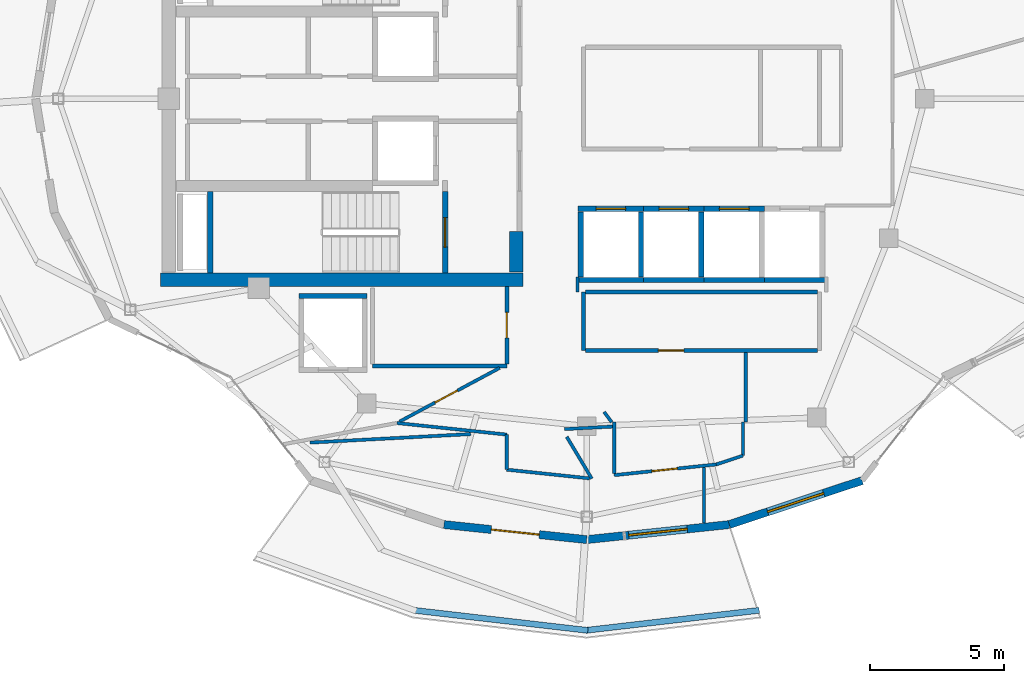
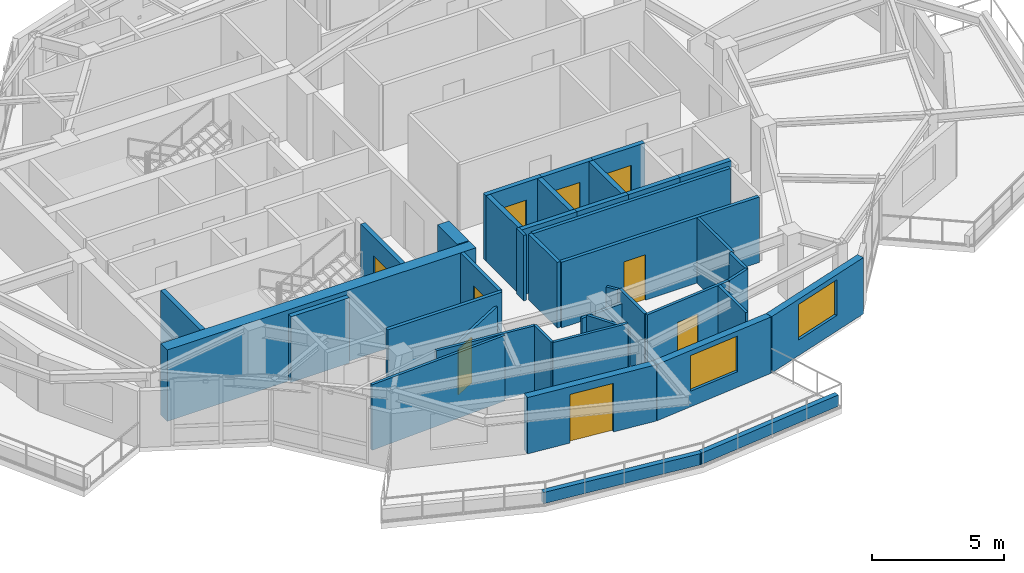
# One storey, part 8 of 15: 40 walls, 9 doors, 2 windows, 11 openings.
"""IFC4 building model written with IfcOpenShell, lengths in metres."""

from ifc_helpers import new_model, si_unit, direction, frame, frame_2d, origin, place, context, subcontext, project, spatial, rectangle, extrude, material, layer, layer_set, type_object, element, fill, save


model = new_model("IFC4")

# Units and contexts
model_context = context("Model", 3, precision=1e-05, world=origin(), true_north=direction((0.0, 1.0)))
body_context = subcontext(model_context, "Body", "Model", "MODEL_VIEW")
ifc_project = project(units=[si_unit("LENGTHUNIT", "METRE"), si_unit("AREAUNIT", "SQUARE_METRE"), si_unit("VOLUMEUNIT", "CUBIC_METRE"), si_unit("PLANEANGLEUNIT", "RADIAN"), si_unit("MASSUNIT", "GRAM", prefix="KILO")], contexts=[model_context])

# Site, building, storey
site_placement = place(None, origin())
site = spatial("IfcSite", under=ifc_project, at=site_placement, CompositionType="ELEMENT")
building_placement = place(site_placement, origin())
building = spatial("IfcBuilding", under=site, at=building_placement, Name="Kolvaren Gate Tower and Convention Centre", CompositionType="ELEMENT")
storey_placement = place(building_placement, frame((0.0, 0.0, 265.699951171875)))
storey = spatial("IfcBuildingStorey", under=building, at=storey_placement, Name="L72", CompositionType="ELEMENT", Elevation=265.699951171875)

# Walls
ifc_material_1 = material(Name="Fire-Rated Acoustic Gypsum Stud Partition", Category="gypsum")
ifc_layer_1 = layer(ifc_material_1, 0.1201171875)
ifc_layer_set_1 = layer_set([ifc_layer_1], Name="Fire-Rated Acoustic Gypsum Stud Partition")
wall_type_1 = type_object("IfcWallType", Name="ARCH-WL-PART-120", PredefinedType="PARTITIONING", material=ifc_layer_set_1)
wall_1_placement = place(storey_placement, frame((27.14990234375, 13.180908203125, 0.0), z_axis=(0.0, 0.0, 1.0), x_axis=(0.0, 1.0, 0.0)))
element("IfcWall", 1, at=wall_1_placement, inside=storey, type_object=wall_type_1, Name="Interior Partition WL-L72-INT-011", PredefinedType="PARTITIONING", context=body_context, shape_type="SweptSolid", body=[
    extrude(rectangle(XDim=1.30712890625, YDim=0.1201171875, at=frame_2d((0.653564453125, 0.0))), origin(), (0.0, 0.0, 1.0), 3.030029296875),
])
wall_2_placement = place(storey_placement, frame((29.780029296875, 19.800048828125, 0.0), z_axis=(0.0, 0.0, 1.0), x_axis=(0.0, 1.0, 0.0)))
element("IfcWall", 2, at=wall_2_placement, inside=storey, type_object=wall_type_1, Name="Interior Partition WL-L72-INT-037", PredefinedType="PARTITIONING", context=body_context, shape_type="SweptSolid", body=[
    extrude(rectangle(XDim=0.56005859375, YDim=0.1201171875, at=frame_2d((0.280029296875, 0.0))), origin(), (0.0, 0.0, 1.0), 3.030029296875),
])
wall_3_placement = place(storey_placement, frame((36.050048828125, 14.949951171875, 0.0), z_axis=(0.0, 0.0, 1.0), x_axis=(0.0, 1.0, 0.0)))
element("IfcWall", 3, at=wall_3_placement, inside=storey, type_object=wall_type_1, Name="Interior Partition WL-L72-INT-038", PredefinedType="PARTITIONING", context=body_context, shape_type="SweptSolid", body=[
    extrude(rectangle(XDim=2.593017578125, YDim=0.1201171875, at=frame_2d((1.29638671875, 0.0))), origin(), (0.0, 0.0, 1.0), 3.030029296875),
])
wall_4_placement = place(storey_placement, frame((35.949951171875, 13.7060546875, 0.0), z_axis=(0.0, 0.0, 1.0), x_axis=(0.0, 1.0, 0.0)))
element("IfcWall", 4, at=wall_4_placement, inside=storey, type_object=wall_type_1, Name="Interior Partition WL-L72-INT-039", PredefinedType="PARTITIONING", context=body_context, shape_type="SweptSolid", body=[
    extrude(rectangle(XDim=1.243896484375, YDim=0.1201171875, at=frame_2d((0.6220703125, 0.0))), origin(), (0.0, 0.0, 1.0), 3.030029296875),
])
wall_5_placement = place(storey_placement, frame((34.955078125, 13.3759765625, 0.0), z_axis=(0.0, 0.0, 1.0), x_axis=(0.949124905871, 0.314899846071, 0.0)))
element("IfcWall", 5, at=wall_5_placement, inside=storey, type_object=wall_type_1, Name="Interior Partition WL-L72-INT-040", PredefinedType="PARTITIONING", context=body_context, shape_type="SweptSolid", body=[
    extrude(rectangle(XDim=1.048095703125, YDim=0.1201171875, at=frame_2d((0.52392578125, 0.0))), origin(), (0.0, 0.0, 1.0), 3.030029296875),
])

# Wall, opening, door
wall_6_placement = place(storey_placement, frame((31.14990234375, 12.97607421875, 0.0), z_axis=(0.0, 0.0, 1.0), x_axis=(0.994522920899, 0.104518705533, 0.0)))
wall_6 = element("IfcWall", 6, at=wall_6_placement, inside=storey, type_object=wall_type_1, Name="Interior Partition WL-L72-INT-041", PredefinedType="PARTITIONING", context=body_context, shape_type="SweptSolid", body=[
    extrude(rectangle(XDim=3.826171875, YDim=0.1201171875, at=frame_2d((1.9130859375, 0.0))), origin(), (0.0, 0.0, 1.0), 3.030029296875),
])
opening_1_placement = place(wall_6_placement, frame((1.414794921875, 0.0, 0.0)))
opening_1 = element("IfcOpeningElement", 7, at=opening_1_placement, cuts=wall_6, Name="Opening DR-01", PredefinedType="OPENING", context=body_context, shape_type="SweptSolid", body=[
    extrude(rectangle(XDim=0.949951171875, YDim=2.10009765625, at=frame_2d((0.47509765625, 1.050048828125))), frame((0.0, 0.070068359375, 0.0), z_axis=(0.0, -1.0, 0.0), x_axis=(1.0, 0.0, 0.0)), (0.0, 0.0, 1.0), 0.14013671875),
])
ifc_material_2 = material(Name="Painted Architectural Steelwork ASTM A500 Grade C 345 MPa", Category="steel")
door_type_1 = type_object("IfcDoorType", Name="ARCH-DR-RISER-950", OperationType="SINGLE_SWING_RIGHT", PredefinedType="DOOR", material=ifc_material_2)
door_1_placement = place(opening_1_placement, origin())
door_1 = element("IfcDoor", 8, at=door_1_placement, inside=storey, type_object=door_type_1, Name="Sky Villa Concierge Foyer Door", OperationType="SINGLE_SWING_RIGHT", OverallHeight=2.10009765625, OverallWidth=0.949951171875, PredefinedType="DOOR", context=body_context, shape_type="SweptSolid", body=[
    extrude(rectangle(XDim=0.949951171875, YDim=2.10009765625, at=frame_2d((0.47509765625, 1.050048828125))), frame((0.0, 0.02490234375, 0.0), z_axis=(0.0, -1.0, 0.0), x_axis=(1.0, 0.0, 0.0)), (0.0, 0.0, 1.0), 0.050048828125),
])
fill(opening_1, door_1)

# Walls
wall_7_placement = place(storey_placement, frame((31.14990234375, 13.038330078125, 0.0), z_axis=(0.0, 0.0, 1.0), x_axis=(0.0, 1.0, 0.0)))
element("IfcWall", 9, at=wall_7_placement, inside=storey, type_object=wall_type_1, Name="Interior Partition WL-L72-INT-042", PredefinedType="PARTITIONING", context=body_context, shape_type="SweptSolid", body=[
    extrude(rectangle(XDim=1.91162109375, YDim=0.1201171875, at=frame_2d((0.955810546875, 0.0))), origin(), (0.0, 0.0, 1.0), 3.030029296875),
])
wall_8_placement = place(storey_placement, frame((30.77392578125, 15.3330078125, 0.0), z_axis=(0.0, 0.0, 1.0), x_axis=(0.595814974861, -0.803121731577, 0.0)))
element("IfcWall", 10, at=wall_8_placement, inside=storey, type_object=wall_type_1, Name="Interior Partition WL-L72-INT-043", PredefinedType="PARTITIONING", context=body_context, shape_type="SweptSolid", body=[
    extrude(rectangle(XDim=0.47705078125, YDim=0.1201171875, at=frame_2d((0.238525390625, 0.0))), origin(), (0.0, 0.0, 1.0), 3.030029296875),
])
wall_9_placement = place(storey_placement, frame((29.384033203125, 14.404052734375, 0.0), z_axis=(0.0, 0.0, 1.0), x_axis=(0.513922040123, -0.857836893982, 0.0)))
element("IfcWall", 11, at=wall_9_placement, inside=storey, type_object=wall_type_1, Name="Interior Partition WL-L72-INT-044", PredefinedType="PARTITIONING", context=body_context, shape_type="SweptSolid", body=[
    extrude(rectangle(XDim=1.815185546875, YDim=0.1201171875, at=frame_2d((0.90771484375, 0.0))), origin(), (0.0, 0.0, 1.0), 2.77001953125),
])
wall_10_placement = place(storey_placement, frame((27.14990234375, 13.180908203125, 0.0), z_axis=(0.0, 0.0, 1.0), x_axis=(0.994482609393, -0.104901571076, 0.0)))
element("IfcWall", 12, at=wall_10_placement, inside=storey, type_object=wall_type_1, Name="Interior Partition WL-L72-INT-045", PredefinedType="PARTITIONING", context=body_context, shape_type="SweptSolid", body=[
    extrude(rectangle(XDim=3.10693359375, YDim=0.1201171875, at=frame_2d((1.553466796875, 0.0))), origin(), (0.0, 0.0, 1.0), 3.030029296875),
])
wall_11_placement = place(storey_placement, frame((23.054931640625, 14.9189453125, 0.0), z_axis=(0.0, 0.0, 1.0), x_axis=(0.994509026122, -0.104650833548, 0.0)))
element("IfcWall", 13, at=wall_11_placement, inside=storey, type_object=wall_type_1, Name="Interior Partition WL-L72-INT-046", PredefinedType="PARTITIONING", context=body_context, shape_type="SweptSolid", body=[
    extrude(rectangle(XDim=4.11767578125, YDim=0.1201171875, at=frame_2d((2.058837890625, 0.0))), origin(), (0.0, 0.0, 1.0), 3.030029296875),
])

# Wall, opening, door
wall_12_placement = place(storey_placement, frame((23.152099609375, 14.97119140625, 0.0), z_axis=(0.0, 0.0, 1.0), x_axis=(0.881315415599, 0.472528452295, 0.0)))
wall_12 = element("IfcWall", 14, at=wall_12_placement, inside=storey, type_object=wall_type_1, Name="Interior Partition WL-L72-INT-047", PredefinedType="PARTITIONING", context=body_context, shape_type="SweptSolid", body=[
    extrude(rectangle(XDim=4.236083984375, YDim=0.1201171875, at=frame_2d((2.1181640625, 0.0))), origin(), (0.0, 0.0, 1.0), 2.47802734375),
])
opening_2_placement = place(wall_12_placement, frame((1.5029296875, 0.0, 0.0)))
opening_2 = element("IfcOpeningElement", 15, at=opening_2_placement, cuts=wall_12, Name="Opening DR-01", PredefinedType="OPENING", context=body_context, shape_type="SweptSolid", body=[
    extrude(rectangle(XDim=0.949951171875, YDim=2.10009765625, at=frame_2d((0.47509765625, 1.050048828125))), frame((0.0, 0.070068359375, 0.0), z_axis=(0.0, -1.0, 0.0), x_axis=(1.0, 0.0, 0.0)), (0.0, 0.0, 1.0), 0.14013671875),
])
door_2_placement = place(opening_2_placement, origin())
door_2 = element("IfcDoor", 16, at=door_2_placement, inside=storey, type_object=door_type_1, Name="Sky Villa Concierge Foyer Door", OperationType="SINGLE_SWING_LEFT", OverallHeight=2.10009765625, OverallWidth=0.949951171875, PredefinedType="DOOR", context=body_context, shape_type="SweptSolid", body=[
    extrude(rectangle(XDim=0.949951171875, YDim=2.10009765625, at=frame_2d((0.47509765625, 1.050048828125))), frame((0.0, 0.02490234375, 0.0), z_axis=(0.0, -1.0, 0.0), x_axis=(1.0, 0.0, 0.0)), (0.0, 0.0, 1.0), 0.050048828125),
])
fill(opening_2, door_2)

# Walls
wall_13_placement = place(storey_placement, frame((19.8173828125, 14.18896484375, 0.0), z_axis=(0.0, 0.0, 1.0), x_axis=(0.998596835944, 0.052956201181, 0.0)))
element("IfcWall", 17, at=wall_13_placement, inside=storey, type_object=wall_type_1, Name="Interior Partition WL-L72-INT-051", PredefinedType="PARTITIONING", context=body_context, shape_type="SweptSolid", body=[
    extrude(rectangle(XDim=5.997802734375, YDim=0.1201171875, at=frame_2d((2.9990234375, 0.0))), origin(), (0.0, 0.0, 1.0), 3.030029296875),
])
wall_14_placement = place(storey_placement, frame((29.29296875, 14.69140625, 0.0), z_axis=(0.0, 0.0, 1.0), x_axis=(0.998595981483, 0.052972311314, 0.0)))
element("IfcWall", 18, at=wall_14_placement, inside=storey, type_object=wall_type_1, Name="Interior Partition WL-L72-INT-052", PredefinedType="PARTITIONING", context=body_context, shape_type="SweptSolid", body=[
    extrude(rectangle(XDim=1.79736328125, YDim=0.1201171875, at=frame_2d((0.898681640625, 0.0))), origin(), (0.0, 0.0, 1.0), 2.47802734375),
])
wall_15_placement = place(storey_placement, frame((34.5, 11.188720703125, 0.0), z_axis=(0.0, 0.0, 1.0), x_axis=(0.0, 1.0, 0.0)))
element("IfcWall", 19, at=wall_15_placement, inside=storey, type_object=wall_type_1, Name="Interior Partition WL-L72-INT-053", PredefinedType="PARTITIONING", context=body_context, shape_type="SweptSolid", body=[
    extrude(rectangle(XDim=2.0771484375, YDim=0.1201171875, at=frame_2d((1.03857421875, 0.0))), origin(), (0.0, 0.0, 1.0), 3.030029296875),
])
ifc_material_3 = material(Name="Piedmont Cream Honed Limestone Cladding", Category="masonry")
ifc_layer_2 = layer(ifc_material_3, 0.219970703125)
ifc_layer_set_2 = layer_set([ifc_layer_2], Name="Piedmont Cream Honed Limestone Cladding")
wall_type_2 = type_object("IfcWallType", Name="ARCH-WL-PLANTER-220", PredefinedType="PARAPET", material=ifc_layer_set_2)
for number, where, z_axis, x_axis, name in (
    (20, (23.694091796875, 7.9404296875, 0.0), (0.0, 0.0, 1.0), (0.993378231371, -0.114889901378, 0.0), "Vertical-Forest Balcony Stone Planter Kerb PK-L72-3.2"),
    (21, (30.07958984375, 7.19140625, 0.0), (0.0, 0.0, 1.0), (0.993378231371, 0.114889901378, 0.0), "Vertical-Forest Balcony Stone Planter Kerb PK-L72-3.3"),
):
    element("IfcWall", number, at=place(storey_placement, frame(where, z_axis=z_axis, x_axis=x_axis)), inside=storey, type_object=wall_type_2, Name=name, PredefinedType="PARAPET", context=body_context, shape_type="SweptSolid", body=[
        extrude(rectangle(XDim=6.51953125, YDim=0.219970703125, at=frame_2d((3.259765625, 0.0))), origin(), (0.0, 0.0, 1.0), 0.52001953125),
    ])
ifc_material_4 = material(Name="Autoclaved Aerated Masonry Blockwork Class 4 (4.0 MPa)", Category="masonry")
ifc_layer_3 = layer(ifc_material_4, 0.199951171875)
ifc_layer_set_3 = layer_set([ifc_layer_3], Name="Autoclaved Aerated Masonry Blockwork Class 4 (4.0 MPa)")
wall_type_3 = type_object("IfcWallType", Name="ARCH-WL-SHAFT-200", PredefinedType="SOLIDWALL", material=ifc_layer_set_3)
wall_16_placement = place(storey_placement, frame((19.39990234375, 19.64990234375, 0.0), z_axis=(0.0, 0.0, 1.0), x_axis=(1.0, 0.0, 0.0)))
element("IfcWall", 22, at=wall_16_placement, inside=storey, type_object=wall_type_3, Name="Elevator SV-01 L72 Fire Shaft Wall N", PredefinedType="SOLIDWALL", context=body_context, shape_type="SweptSolid", body=[
    extrude(rectangle(XDim=2.550048828125, YDim=0.199951171875, at=frame_2d((1.27490234375, 0.0))), origin(), (0.0, 0.0, 1.0), 3.030029296875),
])

# Wall, opening, door
wall_17_placement = place(storey_placement, frame((29.800048828125, 22.89990234375, 0.0), z_axis=(0.0, 0.0, 1.0), x_axis=(1.0, 0.0, 0.0)))
wall_17 = element("IfcWall", 23, at=wall_17_placement, inside=storey, type_object=wall_type_3, Name="Elevator PL-09 L72 Fire Shaft Wall N", PredefinedType="SOLIDWALL", context=body_context, shape_type="SweptSolid", body=[
    extrude(rectangle(XDim=2.449951171875, YDim=0.199951171875, at=frame_2d((1.22509765625, 0.0))), origin(), (0.0, 0.0, 1.0), 3.030029296875),
])
opening_3_placement = place(wall_17_placement, frame((0.675048828125, 0.0, 0.0)))
opening_3 = element("IfcOpeningElement", 24, at=opening_3_placement, cuts=wall_17, Name="Opening LD", PredefinedType="OPENING", context=body_context, shape_type="SweptSolid", body=[
    extrude(rectangle(XDim=1.10009765625, YDim=2.199951171875, at=frame_2d((0.550048828125, 1.10009765625))), frame((0.0, 0.10986328125, 0.0), z_axis=(0.0, -1.0, 0.0), x_axis=(1.0, 0.0, 0.0)), (0.0, 0.0, 1.0), 0.219970703125),
])
ifc_material_5 = material(Name="Brushed Stainless Steel Grade 316L", Category="steel")
door_type_2 = type_object("IfcDoorType", Name="ARCH-DR-LIFT-1100", OperationType="SLIDING_TO_LEFT", PredefinedType="DOOR", material=ifc_material_5)
door_3_placement = place(opening_3_placement, origin())
door_3 = element("IfcDoor", 25, at=door_3_placement, inside=storey, type_object=door_type_2, Name="Elevator PL-09 L72 Sliding Landing Door", OperationType="SLIDING_TO_LEFT", OverallHeight=2.199951171875, OverallWidth=1.10009765625, PredefinedType="DOOR", context=body_context, shape_type="SweptSolid", body=[
    extrude(rectangle(XDim=1.10009765625, YDim=2.199951171875, at=frame_2d((0.550048828125, 1.10009765625))), frame((0.0, 0.02490234375, 0.0), z_axis=(0.0, -1.0, 0.0), x_axis=(1.0, 0.0, 0.0)), (0.0, 0.0, 1.0), 0.050048828125),
])
fill(opening_3, door_3)

# Walls
wall_18_placement = place(storey_placement, frame((29.800048828125, 20.25, 0.0), z_axis=(0.0, 0.0, 1.0), x_axis=(1.0, 0.0, 0.0)))
element("IfcWall", 26, at=wall_18_placement, inside=storey, type_object=wall_type_3, Name="Elevator PL-09 L72 Fire Shaft Wall S", PredefinedType="SOLIDWALL", context=body_context, shape_type="SweptSolid", body=[
    extrude(rectangle(XDim=2.449951171875, YDim=0.199951171875, at=frame_2d((1.22509765625, 0.0))), origin(), (0.0, 0.0, 1.0), 3.030029296875),
])
for number, where, z_axis, x_axis, name in (
    (27, (29.89990234375, 20.360107421875, 0.0), (0.0, 0.0, 1.0), (0.0, 1.0, 0.0), "Elevator PL-09 L72 Fire Shaft Wall W"),
    (28, (32.14990234375, 20.360107421875, 0.0), (0.0, 0.0, 1.0), (0.0, 1.0, 0.0), "Elevator PL-09 L72 Fire Shaft Wall E"),
):
    element("IfcWall", number, at=place(storey_placement, frame(where, z_axis=z_axis, x_axis=x_axis)), inside=storey, type_object=wall_type_3, Name=name, PredefinedType="SOLIDWALL", context=body_context, shape_type="SweptSolid", body=[
        extrude(rectangle(XDim=2.429931640625, YDim=0.199951171875, at=frame_2d((1.21484375, 0.0))), origin(), (0.0, 0.0, 1.0), 3.030029296875),
    ])

# Wall, opening, door
wall_19_placement = place(storey_placement, frame((32.25, 22.89990234375, 0.0), z_axis=(0.0, 0.0, 1.0), x_axis=(1.0, 0.0, 0.0)))
wall_19 = element("IfcWall", 29, at=wall_19_placement, inside=storey, type_object=wall_type_3, Name="Elevator PL-10 L72 Fire Shaft Wall N", PredefinedType="SOLIDWALL", context=body_context, shape_type="SweptSolid", body=[
    extrude(rectangle(XDim=2.25, YDim=0.199951171875, at=frame_2d((1.125, 0.0))), origin(), (0.0, 0.0, 1.0), 3.030029296875),
])
opening_4_placement = place(wall_19_placement, frame((0.574951171875, 0.0, 0.0)))
opening_4 = element("IfcOpeningElement", 30, at=opening_4_placement, cuts=wall_19, Name="Opening LD", PredefinedType="OPENING", context=body_context, shape_type="SweptSolid", body=[
    extrude(rectangle(XDim=1.10009765625, YDim=2.199951171875, at=frame_2d((0.550048828125, 1.10009765625))), frame((0.0, 0.10986328125, 0.0), z_axis=(0.0, -1.0, 0.0), x_axis=(1.0, 0.0, 0.0)), (0.0, 0.0, 1.0), 0.219970703125),
])
door_4_placement = place(opening_4_placement, origin())
door_4 = element("IfcDoor", 31, at=door_4_placement, inside=storey, type_object=door_type_2, Name="Elevator PL-10 L72 Sliding Landing Door", OperationType="SLIDING_TO_LEFT", OverallHeight=2.199951171875, OverallWidth=1.10009765625, PredefinedType="DOOR", context=body_context, shape_type="SweptSolid", body=[
    extrude(rectangle(XDim=1.10009765625, YDim=2.199951171875, at=frame_2d((0.550048828125, 1.10009765625))), frame((0.0, 0.02490234375, 0.0), z_axis=(0.0, -1.0, 0.0), x_axis=(1.0, 0.0, 0.0)), (0.0, 0.0, 1.0), 0.050048828125),
])
fill(opening_4, door_4)

# Walls
wall_20_placement = place(storey_placement, frame((32.25, 20.25, 0.0), z_axis=(0.0, 0.0, 1.0), x_axis=(1.0, 0.0, 0.0)))
element("IfcWall", 32, at=wall_20_placement, inside=storey, type_object=wall_type_3, Name="Elevator PL-10 L72 Fire Shaft Wall S", PredefinedType="SOLIDWALL", context=body_context, shape_type="SweptSolid", body=[
    extrude(rectangle(XDim=2.25, YDim=0.199951171875, at=frame_2d((1.125, 0.0))), origin(), (0.0, 0.0, 1.0), 3.030029296875),
])
wall_21_placement = place(storey_placement, frame((34.39990234375, 20.360107421875, 0.0), z_axis=(0.0, 0.0, 1.0), x_axis=(0.0, 1.0, 0.0)))
element("IfcWall", 33, at=wall_21_placement, inside=storey, type_object=wall_type_3, Name="Elevator PL-10 L72 Fire Shaft Wall E", PredefinedType="SOLIDWALL", context=body_context, shape_type="SweptSolid", body=[
    extrude(rectangle(XDim=2.429931640625, YDim=0.199951171875, at=frame_2d((1.21484375, 0.0))), origin(), (0.0, 0.0, 1.0), 3.030029296875),
])

# Wall, opening, door
wall_22_placement = place(storey_placement, frame((34.5, 22.89990234375, 0.0), z_axis=(0.0, 0.0, 1.0), x_axis=(1.0, 0.0, 0.0)))
wall_22 = element("IfcWall", 34, at=wall_22_placement, inside=storey, type_object=wall_type_3, Name="Elevator PL-11 L72 Fire Shaft Wall N", PredefinedType="SOLIDWALL", context=body_context, shape_type="SweptSolid", body=[
    extrude(rectangle(XDim=2.25, YDim=0.199951171875, at=frame_2d((1.125, 0.0))), origin(), (0.0, 0.0, 1.0), 3.030029296875),
])
opening_5_placement = place(wall_22_placement, frame((0.574951171875, 0.0, 0.0)))
opening_5 = element("IfcOpeningElement", 35, at=opening_5_placement, cuts=wall_22, Name="Opening LD", PredefinedType="OPENING", context=body_context, shape_type="SweptSolid", body=[
    extrude(rectangle(XDim=1.10009765625, YDim=2.199951171875, at=frame_2d((0.550048828125, 1.10009765625))), frame((0.0, 0.10986328125, 0.0), z_axis=(0.0, -1.0, 0.0), x_axis=(1.0, 0.0, 0.0)), (0.0, 0.0, 1.0), 0.219970703125),
])
door_5_placement = place(opening_5_placement, origin())
door_5 = element("IfcDoor", 36, at=door_5_placement, inside=storey, type_object=door_type_2, Name="Elevator PL-11 L72 Sliding Landing Door", OperationType="SLIDING_TO_LEFT", OverallHeight=2.199951171875, OverallWidth=1.10009765625, PredefinedType="DOOR", context=body_context, shape_type="SweptSolid", body=[
    extrude(rectangle(XDim=1.10009765625, YDim=2.199951171875, at=frame_2d((0.550048828125, 1.10009765625))), frame((0.0, 0.02490234375, 0.0), z_axis=(0.0, -1.0, 0.0), x_axis=(1.0, 0.0, 0.0)), (0.0, 0.0, 1.0), 0.050048828125),
])
fill(opening_5, door_5)

# Walls
for number, where, z_axis, x_axis, name in (
    (37, (34.5, 20.25, 0.0), (0.0, 0.0, 1.0), (1.0, 0.0, 0.0), "Elevator PL-11 L72 Fire Shaft Wall S"),
    (38, (36.75, 20.25, 0.0), (0.0, 0.0, 1.0), (1.0, 0.0, 0.0), "Elevator PL-12 L72 Fire Shaft Wall S"),
):
    element("IfcWall", number, at=place(storey_placement, frame(where, z_axis=z_axis, x_axis=x_axis)), inside=storey, type_object=wall_type_3, Name=name, PredefinedType="SOLIDWALL", context=body_context, shape_type="SweptSolid", body=[
        extrude(rectangle(XDim=2.25, YDim=0.199951171875, at=frame_2d((1.125, 0.0))), origin(), (0.0, 0.0, 1.0), 3.030029296875),
    ])

# Wall, opening, door
ifc_layer_4 = layer(ifc_material_3, 0.300048828125)
ifc_layer_set_4 = layer_set([ifc_layer_4], Name="Piedmont Cream Honed Limestone Cladding")
wall_type_4 = type_object("IfcWallType", Name="ARCH-WL-STONE-300", PredefinedType="SOLIDWALL", material=ifc_layer_set_4)
wall_23_placement = place(storey_placement, frame((24.81103515625, 11.134765625, 0.0), z_axis=(0.0, 0.0, 1.0), x_axis=(0.9944966869, -0.104768028258, 0.0)))
wall_23 = element("IfcWall", 39, at=wall_23_placement, inside=storey, type_object=wall_type_4, Name="Tower L72 Honed Stone Spandrel Wall EW-17", PredefinedType="SOLIDWALL", context=body_context, shape_type="SweptSolid", body=[
    extrude(rectangle(XDim=5.34326171875, YDim=0.300048828125, at=frame_2d((2.671630859375, 0.0))), origin(), (0.0, 0.0, 1.0), 2.60498046875),
])
opening_6_placement = place(wall_23_placement, frame((1.77197265625, 0.0, 0.0)))
opening_6 = element("IfcOpeningElement", 40, at=opening_6_placement, cuts=wall_23, Name="Opening DB-01", PredefinedType="OPENING", context=body_context, shape_type="SweptSolid", body=[
    extrude(rectangle(XDim=1.800048828125, YDim=2.25, at=frame_2d((0.89990234375, 1.125))), frame((0.0, 0.159912109375, 0.0), z_axis=(0.0, -1.0, 0.0), x_axis=(1.0, 0.0, 0.0)), (0.0, 0.0, 1.0), 0.320068359375),
])
ifc_material_6 = material(Name="Anodized Architectural Aluminium Alloy 6063-T6", Category="aluminium")
door_type_3 = type_object("IfcDoorType", Name="ARCH-DR-BALC-1800", OperationType="SLIDING_TO_LEFT", PredefinedType="DOOR", material=ifc_material_6)
door_6_placement = place(opening_6_placement, frame((1.800048828125, 0.0, 0.0), z_axis=(0.0, 0.0, 1.0), x_axis=(-1.0, 0.0, 0.0)))
door_6 = element("IfcDoor", 41, at=door_6_placement, inside=storey, type_object=door_type_3, Name="Planted Sky Terrace Access Door DB-L72-17", OperationType="SLIDING_TO_LEFT", OverallHeight=2.25, OverallWidth=1.800048828125, PredefinedType="DOOR", context=body_context, shape_type="SweptSolid", body=[
    extrude(rectangle(XDim=1.800048828125, YDim=2.25, at=frame_2d((0.89990234375, 1.125))), frame((0.0, 0.02490234375, 0.0), z_axis=(0.0, -1.0, 0.0), x_axis=(1.0, 0.0, 0.0)), (0.0, 0.0, 1.0), 0.050048828125),
])
fill(opening_6, door_6)

# Wall, opening, window
wall_24_placement = place(storey_placement, frame((30.125, 10.574951171875, 0.0), z_axis=(0.0, 0.0, 1.0), x_axis=(0.9944966869, 0.104768028258, 0.0)))
wall_24 = element("IfcWall", 42, at=wall_24_placement, inside=storey, type_object=wall_type_4, Name="Tower L72 Honed Stone Spandrel Wall EW-18", PredefinedType="SOLIDWALL", context=body_context, shape_type="SweptSolid", body=[
    extrude(rectangle(XDim=5.34326171875, YDim=0.300048828125, at=frame_2d((2.671630859375, 0.0))), origin(), (0.0, 0.0, 1.0), 2.60498046875),
])
opening_7_placement = place(wall_24_placement, frame((1.572021484375, 0.0, 0.719970703125)))
opening_7 = element("IfcOpeningElement", 43, at=opening_7_placement, cuts=wall_24, Name="Opening W-03", PredefinedType="OPENING", context=body_context, shape_type="SweptSolid", body=[
    extrude(rectangle(XDim=2.199951171875, YDim=1.64990234375, at=frame_2d((1.10009765625, 0.824951171875))), frame((0.0, 0.159912109375, 0.0), z_axis=(0.0, -1.0, 0.0), x_axis=(1.0, 0.0, 0.0)), (0.0, 0.0, 1.0), 0.320068359375),
])
ifc_material_7 = material(Name="Low-E Triple Insulated Glazing Unit 44 mm", Category="glass")
window_type = type_object("IfcWindowType", Name="ARCH-WN-RES-2200", PartitioningType="SINGLE_PANEL", PredefinedType="WINDOW", material=ifc_material_7)
window_1_placement = place(opening_7_placement, origin())
window_1 = element("IfcWindow", 44, at=window_1_placement, inside=storey, type_object=window_type, Name="Tower L72 Punched Stone Facade Window W-18", OverallHeight=1.64990234375, OverallWidth=2.199951171875, PartitioningType="SINGLE_PANEL", PredefinedType="WINDOW", context=body_context, shape_type="SweptSolid", body=[
    extrude(rectangle(XDim=2.199951171875, YDim=1.64990234375, at=frame_2d((1.10009765625, 0.824951171875))), frame((0.0, 0.030029296875, 0.0), z_axis=(0.0, -1.0, 0.0), x_axis=(1.0, 0.0, 0.0)), (0.0, 0.0, 1.0), 0.06005859375),
])
fill(opening_7, window_1)

wall_25_placement = place(storey_placement, frame((35.43896484375, 11.134765625, 0.0), z_axis=(0.0, 0.0, 1.0), x_axis=(0.949252744709, 0.314514271001, 0.0)))
wall_25 = element("IfcWall", 45, at=wall_25_placement, inside=storey, type_object=wall_type_4, Name="Tower L72 Honed Stone Spandrel Wall EW-19", PredefinedType="SOLIDWALL", context=body_context, shape_type="SweptSolid", body=[
    extrude(rectangle(XDim=5.21630859375, YDim=0.300048828125, at=frame_2d((2.608154296875, 0.0))), origin(), (0.0, 0.0, 1.0), 2.60498046875),
])
opening_8_placement = place(wall_25_placement, frame((1.508056640625, 0.0, 0.719970703125)))
opening_8 = element("IfcOpeningElement", 46, at=opening_8_placement, cuts=wall_25, Name="Opening W-03", PredefinedType="OPENING", context=body_context, shape_type="SweptSolid", body=[
    extrude(rectangle(XDim=2.199951171875, YDim=1.64990234375, at=frame_2d((1.10009765625, 0.824951171875))), frame((0.0, 0.159912109375, 0.0), z_axis=(0.0, -1.0, 0.0), x_axis=(1.0, 0.0, 0.0)), (0.0, 0.0, 1.0), 0.320068359375),
])
window_2_placement = place(opening_8_placement, origin())
window_2 = element("IfcWindow", 47, at=window_2_placement, inside=storey, type_object=window_type, Name="Tower L72 Punched Stone Facade Window W-19", OverallHeight=1.64990234375, OverallWidth=2.199951171875, PartitioningType="SINGLE_PANEL", PredefinedType="WINDOW", context=body_context, shape_type="SweptSolid", body=[
    extrude(rectangle(XDim=2.199951171875, YDim=1.64990234375, at=frame_2d((1.10009765625, 0.824951171875))), frame((0.0, 0.030029296875, 0.0), z_axis=(0.0, -1.0, 0.0), x_axis=(1.0, 0.0, 0.0)), (0.0, 0.0, 1.0), 0.06005859375),
])
fill(opening_8, window_2)

# Wall
ifc_material_8 = material(Name="Moisture-Resistant Cement-Board Acoustic Partition", Category="gypsum")
ifc_layer_5 = layer(ifc_material_8, 0.14990234375)
ifc_layer_set_5 = layer_set([ifc_layer_5], Name="Moisture-Resistant Cement-Board Acoustic Partition")
wall_type_5 = type_object("IfcWallType", Name="ARCH-WL-WET-150", PredefinedType="PARTITIONING", material=ifc_layer_set_5)
wall_26_placement = place(storey_placement, frame((22.14990234375, 17.050048828125, 0.0), z_axis=(0.0, 0.0, 1.0), x_axis=(1.0, 0.0, 0.0)))
element("IfcWall", 48, at=wall_26_placement, inside=storey, type_object=wall_type_5, Name="Interior Partition WL-L72-INT-009", PredefinedType="PARTITIONING", context=body_context, shape_type="SweptSolid", body=[
    extrude(rectangle(XDim=5.0, YDim=0.14990234375, at=frame_2d((2.5, 0.0))), origin(), (0.0, 0.0, 1.0), 3.030029296875),
])

# Wall, opening, door
wall_27_placement = place(storey_placement, frame((27.14990234375, 17.126953125, 0.0), z_axis=(0.0, 0.0, 1.0), x_axis=(0.0, 1.0, 0.0)))
wall_27 = element("IfcWall", 49, at=wall_27_placement, inside=storey, type_object=wall_type_5, Name="Interior Partition WL-L72-INT-012", PredefinedType="PARTITIONING", context=body_context, shape_type="SweptSolid", body=[
    extrude(rectangle(XDim=2.87109375, YDim=0.14990234375, at=frame_2d((1.435546875, 0.0))), origin(), (0.0, 0.0, 1.0), 3.030029296875),
])
opening_9_placement = place(wall_27_placement, frame((0.96044921875, 0.0, 0.0)))
opening_9 = element("IfcOpeningElement", 50, at=opening_9_placement, cuts=wall_27, Name="Opening DR-01", PredefinedType="OPENING", context=body_context, shape_type="SweptSolid", body=[
    extrude(rectangle(XDim=0.949951171875, YDim=2.10009765625, at=frame_2d((0.47509765625, 1.050048828125))), frame((0.0, 0.0849609375, 0.0), z_axis=(0.0, -1.0, 0.0), x_axis=(1.0, 0.0, 0.0)), (0.0, 0.0, 1.0), 0.169921875),
])
door_7_placement = place(opening_9_placement, origin())
door_7 = element("IfcDoor", 51, at=door_7_placement, inside=storey, type_object=door_type_1, Name="West Linen and Supply Store Door", OperationType="SINGLE_SWING_RIGHT", OverallHeight=2.10009765625, OverallWidth=0.949951171875, PredefinedType="DOOR", context=body_context, shape_type="SweptSolid", body=[
    extrude(rectangle(XDim=0.949951171875, YDim=2.10009765625, at=frame_2d((0.47509765625, 1.050048828125))), frame((0.0, 0.02490234375, 0.0), z_axis=(0.0, -1.0, 0.0), x_axis=(1.0, 0.0, 0.0)), (0.0, 0.0, 1.0), 0.050048828125),
])
fill(opening_9, door_7)

# Wall
wall_28_placement = place(storey_placement, frame((30.0, 17.6201171875, 0.0), z_axis=(0.0, 0.0, 1.0), x_axis=(0.0, 1.0, 0.0)))
element("IfcWall", 52, at=wall_28_placement, inside=storey, type_object=wall_type_5, Name="Interior Partition WL-L72-INT-015", PredefinedType="PARTITIONING", context=body_context, shape_type="SweptSolid", body=[
    extrude(rectangle(XDim=2.179931640625, YDim=0.14990234375, at=frame_2d((1.08984375, 0.0))), origin(), (0.0, 0.0, 1.0), 3.030029296875),
])

# Wall, opening, door
wall_29_placement = place(storey_placement, frame((30.076904296875, 17.6201171875, 0.0), z_axis=(0.0, 0.0, 1.0), x_axis=(1.0, 0.0, 0.0)))
wall_29 = element("IfcWall", 53, at=wall_29_placement, inside=storey, type_object=wall_type_5, Name="Interior Partition WL-L72-INT-027", PredefinedType="PARTITIONING", context=body_context, shape_type="SweptSolid", body=[
    extrude(rectangle(XDim=8.64599609375, YDim=0.14990234375, at=frame_2d((4.322998046875, 0.0))), origin(), (0.0, 0.0, 1.0), 3.030029296875),
])
opening_10_placement = place(wall_29_placement, frame((2.716552734375, 0.0, 0.0)))
opening_10 = element("IfcOpeningElement", 54, at=opening_10_placement, cuts=wall_29, Name="Opening DR-01", PredefinedType="OPENING", context=body_context, shape_type="SweptSolid", body=[
    extrude(rectangle(XDim=0.949951171875, YDim=2.10009765625, at=frame_2d((0.47509765625, 1.050048828125))), frame((0.0, 0.0849609375, 0.0), z_axis=(0.0, -1.0, 0.0), x_axis=(1.0, 0.0, 0.0)), (0.0, 0.0, 1.0), 0.169921875),
])
door_8_placement = place(opening_10_placement, origin())
door_8 = element("IfcDoor", 55, at=door_8_placement, inside=storey, type_object=door_type_1, Name="Resident Luggage Store Door", OperationType="SINGLE_SWING_LEFT", OverallHeight=2.10009765625, OverallWidth=0.949951171875, PredefinedType="DOOR", context=body_context, shape_type="SweptSolid", body=[
    extrude(rectangle(XDim=0.949951171875, YDim=2.10009765625, at=frame_2d((0.47509765625, 1.050048828125))), frame((0.0, 0.02490234375, 0.0), z_axis=(0.0, -1.0, 0.0), x_axis=(1.0, 0.0, 0.0)), (0.0, 0.0, 1.0), 0.050048828125),
])
fill(opening_10, door_8)

# Walls
wall_30_placement = place(storey_placement, frame((30.076904296875, 19.800048828125, 0.0), z_axis=(0.0, 0.0, 1.0), x_axis=(1.0, 0.0, 0.0)))
element("IfcWall", 56, at=wall_30_placement, inside=storey, type_object=wall_type_5, Name="Interior Partition WL-L72-INT-028", PredefinedType="PARTITIONING", context=body_context, shape_type="SweptSolid", body=[
    extrude(rectangle(XDim=8.64599609375, YDim=0.14990234375, at=frame_2d((4.322998046875, 0.0))), origin(), (0.0, 0.0, 1.0), 3.030029296875),
])
ifc_material_9 = material(Name="Concrete C50/60", Category="concrete")
ifc_layer_6 = layer(ifc_material_9, 0.5)
ifc_layer_set_6 = layer_set([ifc_layer_6], Name="Concrete C50/60")
wall_type_6 = type_object("IfcWallType", Name="STR-WL-CORE-500", PredefinedType="SHEAR", material=ifc_layer_set_6)
wall_31_placement = place(storey_placement, frame((14.25, 20.25, -0.27001953125), z_axis=(0.0, 0.0, 1.0), x_axis=(1.0, 0.0, 0.0)))
element("IfcWall", 57, at=wall_31_placement, inside=storey, type_object=wall_type_6, Name="Tower L72 Offset Core Shear Wall S", PredefinedType="SHEAR", context=body_context, shape_type="SweptSolid", body=[
    extrude(rectangle(XDim=13.5, YDim=0.5, at=frame_2d((6.75, 0.0))), origin(), (0.0, 0.0, 1.0), 3.300048828125),
])
wall_32_placement = place(storey_placement, frame((27.5, 20.550048828125, -0.27001953125), z_axis=(0.0, 0.0, 1.0), x_axis=(0.0, 1.0, 0.0)))
element("IfcWall", 58, at=wall_32_placement, inside=storey, type_object=wall_type_6, Name="Tower L72 Offset Core Shear Wall ES", PredefinedType="SHEAR", context=body_context, shape_type="SweptSolid", body=[
    extrude(rectangle(XDim=1.5, YDim=0.5, at=frame_2d((0.75, 0.0))), origin(), (0.0, 0.0, 1.0), 3.300048828125),
])

# Wall, opening, door
ifc_layer_7 = layer(ifc_material_9, 0.199951171875)
ifc_layer_set_7 = layer_set([ifc_layer_7], Name="Concrete C50/60")
wall_type_7 = type_object("IfcWallType", Name="STR-WL-SHAFT-200", PredefinedType="SHEAR", material=ifc_layer_set_7)
wall_33_placement = place(storey_placement, frame((24.85009765625, 20.501953125, -0.27001953125), z_axis=(0.0, 0.0, 1.0), x_axis=(0.0, 1.0, 0.0)))
wall_33 = element("IfcWall", 59, at=wall_33_placement, inside=storey, type_object=wall_type_7, Name="Tower South Exit Stair ST-T2 L72 Structural Shear Enclosure Wall NEAR", PredefinedType="SHEAR", context=body_context, shape_type="SweptSolid", body=[
    extrude(rectangle(XDim=3.0380859375, YDim=0.199951171875, at=frame_2d((1.51904296875, 0.0))), origin(), (0.0, 0.0, 1.0), 3.300048828125),
])
opening_11_placement = place(wall_33_placement, frame((0.968994140625, 0.0, 0.27001953125)))
opening_11 = element("IfcOpeningElement", 60, at=opening_11_placement, cuts=wall_33, Name="Opening DS-01", PredefinedType="OPENING", context=body_context, shape_type="SweptSolid", body=[
    extrude(rectangle(XDim=1.10009765625, YDim=2.14990234375, at=frame_2d((0.550048828125, 1.074951171875))), frame((0.0, 0.10986328125, 0.0), z_axis=(0.0, -1.0, 0.0), x_axis=(1.0, 0.0, 0.0)), (0.0, 0.0, 1.0), 0.219970703125),
])
door_type_4 = type_object("IfcDoorType", Name="ARCH-DR-STAIR-1100", OperationType="SINGLE_SWING_LEFT", PredefinedType="DOOR", material=ifc_material_2)
door_9_placement = place(opening_11_placement, origin())
door_9 = element("IfcDoor", 61, at=door_9_placement, inside=storey, type_object=door_type_4, Name="Tower South Exit Stair ST-T2 L72 Fire Exit Stair Door", OperationType="SINGLE_SWING_RIGHT", OverallHeight=2.14990234375, OverallWidth=1.10009765625, PredefinedType="DOOR", context=body_context, shape_type="SweptSolid", body=[
    extrude(rectangle(XDim=1.10009765625, YDim=2.14990234375, at=frame_2d((0.550048828125, 1.074951171875))), frame((0.0, 0.02490234375, 0.0), z_axis=(0.0, -1.0, 0.0), x_axis=(1.0, 0.0, 0.0)), (0.0, 0.0, 1.0), 0.050048828125),
])
fill(opening_11, door_9)

# Wall
wall_34_placement = place(storey_placement, frame((16.10009765625, 20.501953125, -0.27001953125), z_axis=(0.0, 0.0, 1.0), x_axis=(0.0, 1.0, 0.0)))
element("IfcWall", 62, at=wall_34_placement, inside=storey, type_object=wall_type_7, Name="Tower South Exit Stair ST-T2 L72 Structural Shear Enclosure Wall FAR", PredefinedType="SHEAR", context=body_context, shape_type="SweptSolid", body=[
    extrude(rectangle(XDim=3.0361328125, YDim=0.199951171875, at=frame_2d((1.51806640625, 0.0))), origin(), (0.0, 0.0, 1.0), 3.300048828125),
])

save(model, "model.ifc")
